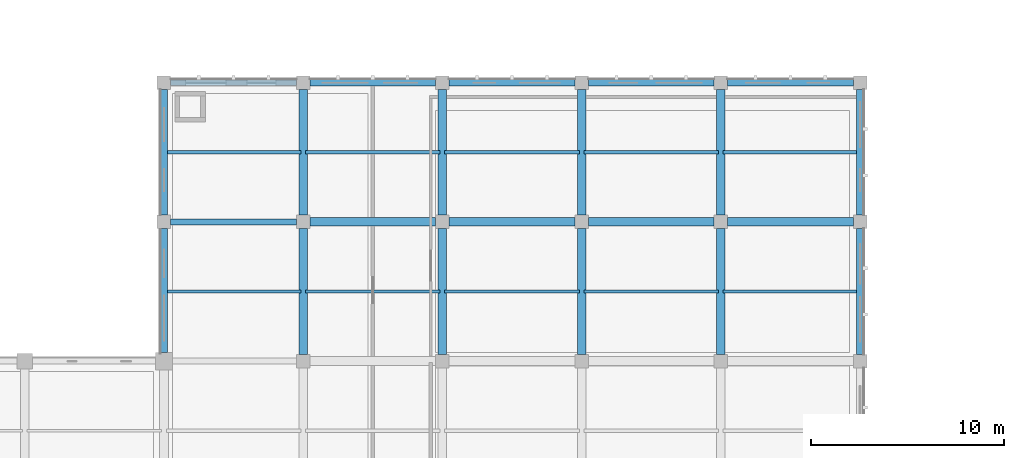
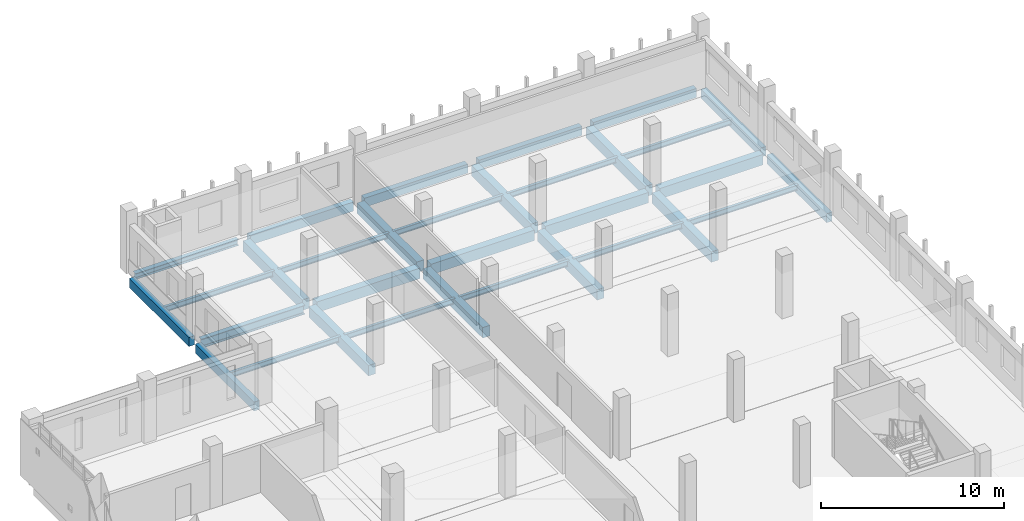
# One storey, part 18 of 57: 32 beams.
"""IFC4 building model written with IfcOpenShell, lengths in metres."""

from ifc_helpers import new_model, si_unit, direction, frame, origin, origin_2d, place, context, subcontext, project, spatial, rectangle, i_section, extrude, material, material_profile, profile_set, type_object, element, save


model = new_model("IFC4")

# Units and contexts
model_context = context("Model", 3, precision=1e-05, world=origin(), true_north=direction((0.0, 1.0)))
body_context = subcontext(model_context, "Body", "Model", "MODEL_VIEW")
ifc_project = project(units=[si_unit("LENGTHUNIT", "METRE"), si_unit("AREAUNIT", "SQUARE_METRE"), si_unit("VOLUMEUNIT", "CUBIC_METRE"), si_unit("PLANEANGLEUNIT", "RADIAN"), si_unit("MASSUNIT", "GRAM", prefix="KILO")], contexts=[model_context])

# Site, building, storey
site_placement = place(None, origin())
site = spatial("IfcSite", under=ifc_project, at=site_placement, CompositionType="ELEMENT")
building_placement = place(site_placement, origin())
building = spatial("IfcBuilding", under=site, at=building_placement, Name="Valkovuoma Quantum and Materials Research Institute", CompositionType="ELEMENT")
storey_placement = place(building_placement, frame((0.0, 0.0, 4.800048828125)))
storey = spatial("IfcBuildingStorey", under=building, at=storey_placement, Name="L01", CompositionType="ELEMENT", Elevation=4.800048828125)

# Beams
ifc_material_1 = material(Name="Steel S355J2", Category="steel")
ifc_material_profile_1 = material_profile(ifc_material_1, i_section(OverallWidth=0.300048828125, OverallDepth=0.389892578125, WebThickness=0.010986328125, FlangeThickness=0.01904296875, FilletRadius=0.027099609375, at=origin_2d()), Name="Steel S355J2")
ifc_profile_set_1 = profile_set([ifc_material_profile_1], Name="Steel S355J2")
beam_type_1 = type_object("IfcBeamType", Name="Beam-B-HEA400", PredefinedType="SPANDREL", material=ifc_profile_set_1)
beam_1_placement = place(storey_placement, frame((14.75, 108.0, -0.545166015625), z_axis=(1.0, 0.0, 0.0), x_axis=(0.0, 1.0, 0.0)))
element("IfcBeam", 1, at=beam_1_placement, inside=storey, type_object=beam_type_1, Name="L01 beam X-0701", PredefinedType="SPANDREL", context=body_context, shape_type="SweptSolid", body=[
    extrude(i_section(OverallWidth=0.300048828125, OverallDepth=0.389892578125, WebThickness=0.010986328125, FlangeThickness=0.01904296875, FilletRadius=0.027099609375, at=origin_2d()), origin(), (0.0, 0.0, 1.0), 6.5),
])
ifc_material_2 = material(Name="Steel S355J2", Category="steel")
ifc_material_profile_2 = material_profile(ifc_material_2, i_section(OverallWidth=0.300048828125, OverallDepth=0.60009765625, WebThickness=0.015380859375, FlangeThickness=0.030029296875, FilletRadius=0.027099609375, at=origin_2d()), Name="Steel S355J2")
ifc_profile_set_2 = profile_set([ifc_material_profile_2], Name="Steel S355J2")
beam_type_2 = type_object("IfcBeamType", Name="Beam-B-HEB600", PredefinedType="BEAM", material=ifc_profile_set_2)
beam_2_placement = place(storey_placement, frame((14.75, 100.800048828125, -0.650146484375), z_axis=(1.0, 0.0, 0.0), x_axis=(0.0, 1.0, 0.0)))
element("IfcBeam", 2, at=beam_2_placement, inside=storey, type_object=beam_type_2, Name="L01 beam X-0691", PredefinedType="BEAM", context=body_context, shape_type="SweptSolid", body=[
    extrude(i_section(OverallWidth=0.300048828125, OverallDepth=0.60009765625, WebThickness=0.015380859375, FlangeThickness=0.030029296875, FilletRadius=0.027099609375, at=origin_2d()), origin(), (0.0, 0.0, 1.0), 6.5),
])
ifc_material_3 = material(Name="Steel S355J2", Category="steel")
ifc_material_profile_3 = material_profile(ifc_material_3, i_section(OverallWidth=0.169921875, OverallDepth=0.360107421875, WebThickness=0.008056640625, FlangeThickness=0.0126953125, FilletRadius=0.01806640625, at=origin_2d()), Name="Steel S355J2")
ifc_profile_set_3 = profile_set([ifc_material_profile_3], Name="Steel S355J2")
beam_type_3 = type_object("IfcBeamType", Name="Beam-B-JST360", PredefinedType="JOIST", material=ifc_profile_set_3)
for number, where, z_axis, x_axis, name in (
    (3, (14.52001953125, 97.199951171875, -0.530029296875), (1.0, 0.0, 0.0), (0.0, 1.0, 0.0), "L01 floor joist 0962"),
    (4, (21.719970703125, 97.199951171875, -0.530029296875), (1.0, 0.0, 0.0), (0.0, 1.0, 0.0), "L01 floor joist 0963"),
    (5, (28.919921875, 97.199951171875, -0.530029296875), (1.0, 0.0, 0.0), (0.0, 1.0, 0.0), "L01 floor joist 0964"),
    (6, (36.1201171875, 97.199951171875, -0.530029296875), (1.0, 0.0, 0.0), (0.0, 1.0, 0.0), "L01 floor joist 0965"),
    (7, (43.320068359375, 97.199951171875, -0.530029296875), (1.0, 0.0, 0.0), (0.0, 1.0, 0.0), "L01 floor joist 0966"),
    (8, (14.52001953125, 104.39990234375, -0.530029296875), (1.0, 0.0, 0.0), (0.0, 1.0, 0.0), "L01 floor joist 0972"),
    (9, (21.719970703125, 104.39990234375, -0.530029296875), (1.0, 0.0, 0.0), (0.0, 1.0, 0.0), "L01 floor joist 0973"),
    (10, (28.919921875, 104.39990234375, -0.530029296875), (1.0, 0.0, 0.0), (0.0, 1.0, 0.0), "L01 floor joist 0974"),
    (11, (36.1201171875, 104.39990234375, -0.530029296875), (1.0, 0.0, 0.0), (0.0, 1.0, 0.0), "L01 floor joist 0975"),
    (12, (43.320068359375, 104.39990234375, -0.530029296875), (1.0, 0.0, 0.0), (0.0, 1.0, 0.0), "L01 floor joist 0976"),
):
    element("IfcBeam", number, at=place(storey_placement, frame(where, z_axis=z_axis, x_axis=x_axis)), inside=storey, type_object=beam_type_3, Name=name, PredefinedType="JOIST", context=body_context, shape_type="SweptSolid", body=[
        extrude(i_section(OverallWidth=0.169921875, OverallDepth=0.360107421875, WebThickness=0.008056640625, FlangeThickness=0.0126953125, FilletRadius=0.01806640625, at=origin_2d()), origin(), (0.0, 0.0, 1.0), 6.9599609375),
    ])
ifc_material_4 = material(Name="Concrete C40/50", Category="concrete")
ifc_material_profile_4 = material_profile(ifc_material_4, rectangle(XDim=0.449951171875, YDim=0.699951171875, at=origin_2d()), Name="Concrete C40/50")
ifc_profile_set_4 = profile_set([ifc_material_profile_4], Name="Concrete C40/50")
beam_type_4 = type_object("IfcBeamType", Name="Beam-B-RC700", PredefinedType="BEAM", material=ifc_profile_set_4)
for number, where, z_axis, x_axis, name in (
    (13, (21.949951171875, 100.800048828125, -0.699951171875), (1.0, 0.0, 0.0), (0.0, 1.0, 0.0), "L01 beam X-0692"),
    (14, (29.14990234375, 100.800048828125, -0.699951171875), (1.0, 0.0, 0.0), (0.0, 1.0, 0.0), "L01 beam X-0693"),
    (15, (36.35009765625, 100.800048828125, -0.699951171875), (1.0, 0.0, 0.0), (0.0, 1.0, 0.0), "L01 beam X-0694"),
    (16, (43.550048828125, 100.800048828125, -0.699951171875), (1.0, 0.0, 0.0), (0.0, 1.0, 0.0), "L01 beam X-0695"),
    (17, (21.60009765625, 93.949951171875, -0.699951171875), (0.0, 1.0, 0.0), (-1.0, 0.0, 0.0), "L01 beam Y-0739"),
    (18, (21.60009765625, 101.14990234375, -0.699951171875), (0.0, 1.0, 0.0), (-1.0, 0.0, 0.0), "L01 beam Y-0740"),
    (19, (28.800048828125, 93.949951171875, -0.699951171875), (0.0, 1.0, 0.0), (-1.0, 0.0, 0.0), "L01 beam Y-0749"),
    (20, (28.800048828125, 101.14990234375, -0.699951171875), (0.0, 1.0, 0.0), (-1.0, 0.0, 0.0), "L01 beam Y-0750"),
    (21, (36.0, 93.949951171875, -0.699951171875), (0.0, 1.0, 0.0), (-1.0, 0.0, 0.0), "L01 beam Y-0759"),
    (22, (36.0, 101.14990234375, -0.699951171875), (0.0, 1.0, 0.0), (-1.0, 0.0, 0.0), "L01 beam Y-0760"),
    (23, (43.199951171875, 93.949951171875, -0.699951171875), (0.0, 1.0, 0.0), (-1.0, 0.0, 0.0), "L01 beam Y-0765"),
    (24, (43.199951171875, 101.14990234375, -0.699951171875), (0.0, 1.0, 0.0), (-1.0, 0.0, 0.0), "L01 beam Y-0766"),
):
    element("IfcBeam", number, at=place(storey_placement, frame(where, z_axis=z_axis, x_axis=x_axis)), inside=storey, type_object=beam_type_4, Name=name, PredefinedType="BEAM", context=body_context, shape_type="SweptSolid", body=[
        extrude(rectangle(XDim=0.449951171875, YDim=0.699951171875, at=origin_2d()), origin(), (0.0, 0.0, 1.0), 6.5),
    ])
ifc_material_5 = material(Name="Concrete C40/50", Category="concrete")
ifc_material_profile_5 = material_profile(ifc_material_5, rectangle(XDim=0.35009765625, YDim=0.60009765625, at=origin_2d()), Name="Concrete C40/50")
ifc_profile_set_5 = profile_set([ifc_material_profile_5], Name="Concrete C40/50")
beam_type_5 = type_object("IfcBeamType", Name="Beam-B-SPN600", PredefinedType="SPANDREL", material=ifc_profile_set_5)
for number, where, z_axis, x_axis, name in (
    (25, (21.949951171875, 108.0, -0.650146484375), (1.0, 0.0, 0.0), (0.0, 1.0, 0.0), "L01 beam X-0702"),
    (26, (29.14990234375, 108.0, -0.650146484375), (1.0, 0.0, 0.0), (0.0, 1.0, 0.0), "L01 beam X-0703"),
    (27, (36.35009765625, 108.0, -0.650146484375), (1.0, 0.0, 0.0), (0.0, 1.0, 0.0), "L01 beam X-0704"),
    (28, (43.550048828125, 108.0, -0.650146484375), (1.0, 0.0, 0.0), (0.0, 1.0, 0.0), "L01 beam X-0705"),
):
    element("IfcBeam", number, at=place(storey_placement, frame(where, z_axis=z_axis, x_axis=x_axis)), inside=storey, type_object=beam_type_5, Name=name, PredefinedType="SPANDREL", context=body_context, shape_type="SweptSolid", body=[
        extrude(rectangle(XDim=0.35009765625, YDim=0.60009765625, at=origin_2d()), origin(), (0.0, 0.0, 1.0), 6.5),
    ])
beam_3_placement = place(storey_placement, frame((14.39990234375, 94.050048828125, -0.650146484375), z_axis=(0.0, 1.0, 0.0), x_axis=(-1.0, 0.0, 0.0)))
element("IfcBeam", 29, at=beam_3_placement, inside=storey, type_object=beam_type_5, Name="L01 beam Y-0729", PredefinedType="SPANDREL", context=body_context, shape_type="SweptSolid", body=[
    extrude(rectangle(XDim=0.35009765625, YDim=0.60009765625, at=origin_2d()), origin(), (0.0, 0.0, 1.0), 6.39990234375),
])
for number, where, z_axis, x_axis, name in (
    (30, (14.39990234375, 101.14990234375, -0.650146484375), (0.0, 1.0, 0.0), (-1.0, 0.0, 0.0), "L01 beam Y-0730"),
    (31, (50.39990234375, 93.949951171875, -0.650146484375), (0.0, 1.0, 0.0), (-1.0, 0.0, 0.0), "L01 beam Y-0772"),
    (32, (50.39990234375, 101.14990234375, -0.650146484375), (0.0, 1.0, 0.0), (-1.0, 0.0, 0.0), "L01 beam Y-0773"),
):
    element("IfcBeam", number, at=place(storey_placement, frame(where, z_axis=z_axis, x_axis=x_axis)), inside=storey, type_object=beam_type_5, Name=name, PredefinedType="SPANDREL", context=body_context, shape_type="SweptSolid", body=[
        extrude(rectangle(XDim=0.35009765625, YDim=0.60009765625, at=origin_2d()), origin(), (0.0, 0.0, 1.0), 6.5),
    ])

save(model, "model.ifc")
